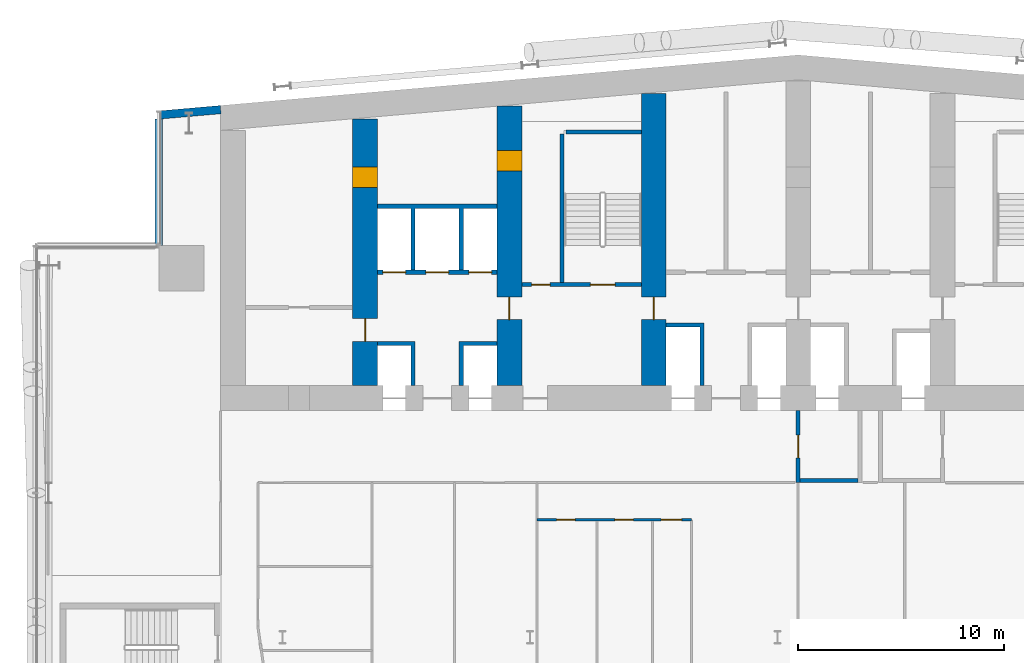
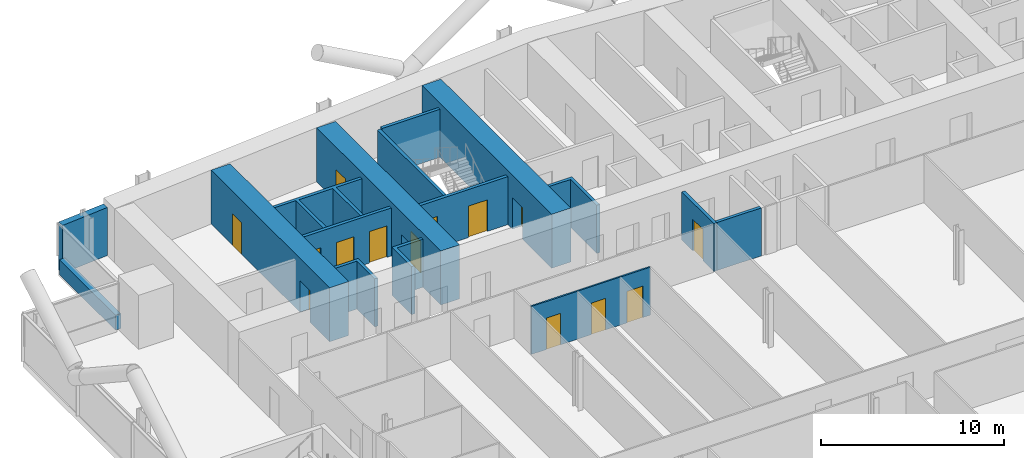
# One storey, part 16 of 27: 16 walls, 14 doors, 14 openings.
"""IFC4 building model written with IfcOpenShell, lengths in metres."""

from ifc_helpers import new_model, si_unit, direction, frame, frame_2d, origin, place, context, subcontext, project, spatial, polyline, rectangle, outline, extrude, material, layer, layer_set, type_object, element, fill, save


model = new_model("IFC4")

# Units and contexts
model_context = context("Model", 3, precision=1e-05, world=origin(), true_north=direction((0.0, 1.0)))
body_context = subcontext(model_context, "Body", "Model", "MODEL_VIEW")
ifc_project = project(units=[si_unit("LENGTHUNIT", "METRE"), si_unit("AREAUNIT", "SQUARE_METRE"), si_unit("VOLUMEUNIT", "CUBIC_METRE"), si_unit("PLANEANGLEUNIT", "RADIAN"), si_unit("MASSUNIT", "GRAM", prefix="KILO")], contexts=[model_context])

# Site, building, storey
site_placement = place(None, origin())
site = spatial("IfcSite", under=ifc_project, at=site_placement, CompositionType="ELEMENT")
building_placement = place(site_placement, origin())
building = spatial("IfcBuilding", under=site, at=building_placement, Name="Wharfspan Tower", CompositionType="ELEMENT")
storey_placement = place(building_placement, frame((0.0, 0.0, 48.699951)))
storey = spatial("IfcBuildingStorey", under=building, at=storey_placement, Name="L08", CompositionType="ELEMENT", Elevation=48.699951)

# Wall, openings, doors
ifc_material_1 = material(Name="Concrete C70/85", Category="concrete")
ifc_layer_1 = layer(ifc_material_1, 1.199951)
ifc_layer_set_1 = layer_set([ifc_layer_1], Name="Concrete C70/85")
wall_type_1 = type_object("IfcWallType", Name="Core wall 1200 C70/85", PredefinedType="SHEAR", material=ifc_layer_set_1)
wall_1_placement = place(storey_placement, frame((16.0, 35.199951, 0.0), z_axis=(0.0, 0.0, 1.0), x_axis=(0.0, 1.0, 0.0)))
wall_1 = element("IfcWall", 1, at=wall_1_placement, inside=storey, type_object=wall_type_1, Name="Core cross wall X1 L08", PredefinedType="SHEAR", context=body_context, shape_type="SweptSolid", body=[
    extrude(rectangle(XDim=12.942871, YDim=1.199951, at=frame_2d((6.471436, 0.0))), origin(), (0.0, 0.0, 1.0), 3.600098),
])
opening_1_placement = place(wall_1_placement, frame((2.149902, 0.0, 0.0)))
opening_1 = element("IfcOpeningElement", 2, at=opening_1_placement, cuts=wall_1, Name="Opening CC08.1", PredefinedType="OPENING", context=body_context, shape_type="SweptSolid", body=[
    extrude(rectangle(XDim=1.100098, YDim=2.100098, at=frame_2d((0.550049, 1.050049))), frame((0.0, 0.609863, 0.0), z_axis=(0.0, -1.0, 0.0), x_axis=(1.0, 0.0, 0.0)), (0.0, 0.0, 1.0), 1.219971),
])
opening_2_placement = place(wall_1_placement, frame((9.600098, 0.0, 0.0)))
opening_2 = element("IfcOpeningElement", 3, at=opening_2_placement, cuts=wall_1, Name="Opening CR08.1", PredefinedType="OPENING", context=body_context, shape_type="SweptSolid", body=[
    extrude(rectangle(XDim=1.0, YDim=2.100098, at=frame_2d((0.5, 1.050049))), frame((0.0, 0.609863, 0.0), z_axis=(0.0, -1.0, 0.0), x_axis=(1.0, 0.0, 0.0)), (0.0, 0.0, 1.0), 1.219971),
])
ifc_material_2 = material(Name="Steel door leaf", Category="steel")
door_type_1 = type_object("IfcDoorType", Name="Core corridor door 1100x2100", OperationType="SINGLE_SWING_LEFT", PredefinedType="DOOR", material=ifc_material_2)
door_1_placement = place(opening_1_placement, origin())
door_1 = element("IfcDoor", 4, at=door_1_placement, inside=storey, type_object=door_type_1, Name="xd:L08:1", OperationType="SINGLE_SWING_LEFT", OverallHeight=2.100098, OverallWidth=1.100098, PredefinedType="DOOR", context=body_context, shape_type="SweptSolid", body=[
    extrude(rectangle(XDim=1.100098, YDim=2.100098, at=frame_2d((0.550049, 1.050049))), frame((0.0, 0.024902, 0.0), z_axis=(0.0, -1.0, 0.0), x_axis=(1.0, 0.0, 0.0)), (0.0, 0.0, 1.0), 0.050049),
])
fill(opening_1, door_1)
door_type_2 = type_object("IfcDoorType", Name="Core room door 1000x2100", OperationType="SINGLE_SWING_LEFT", PredefinedType="DOOR", material=ifc_material_2)
door_2_placement = place(opening_2_placement, origin())
door_2 = element("IfcDoor", 5, at=door_2_placement, inside=storey, type_object=door_type_2, Name="xr:L08:1", OperationType="SINGLE_SWING_RIGHT", OverallHeight=2.100098, OverallWidth=1.0, PredefinedType="DOOR", context=body_context, shape_type="SweptSolid", body=[
    extrude(rectangle(XDim=1.0, YDim=2.100098, at=frame_2d((0.5, 1.050049))), frame((0.0, 0.599609, 0.0), z_axis=(0.0, -1.0, 0.0), x_axis=(1.0, 0.0, 0.0)), (0.0, 0.0, 1.0), 1.199463),
])
fill(opening_2, door_2)

wall_2_placement = place(storey_placement, frame((23.0, 35.199951, 0.0), z_axis=(0.0, 0.0, 1.0), x_axis=(0.0, 1.0, 0.0)))
wall_2 = element("IfcWall", 6, at=wall_2_placement, inside=storey, type_object=wall_type_1, Name="Core cross wall X2 L08", PredefinedType="SHEAR", context=body_context, shape_type="SweptSolid", body=[
    extrude(rectangle(XDim=13.555176, YDim=1.199951, at=frame_2d((6.777588, 0.0))), origin(), (0.0, 0.0, 1.0), 3.600098),
])
opening_3_placement = place(wall_2_placement, frame((10.413818, 0.0, 0.0)))
opening_3 = element("IfcOpeningElement", 7, at=opening_3_placement, cuts=wall_2, Name="Opening CD08.1X", PredefinedType="OPENING", context=body_context, shape_type="SweptSolid", body=[
    extrude(rectangle(XDim=1.0, YDim=2.100098, at=frame_2d((0.5, 1.050049))), frame((0.0, 0.609863, 0.0), z_axis=(0.0, -1.0, 0.0), x_axis=(1.0, 0.0, 0.0)), (0.0, 0.0, 1.0), 1.219971),
])
opening_4_placement = place(wall_2_placement, frame((3.199951, 0.0, 0.0)))
opening_4 = element("IfcOpeningElement", 8, at=opening_4_placement, cuts=wall_2, Name="Opening CC08.2", PredefinedType="OPENING", context=body_context, shape_type="SweptSolid", body=[
    extrude(rectangle(XDim=1.100098, YDim=2.100098, at=frame_2d((0.550049, 1.050049))), frame((0.0, 0.609863, 0.0), z_axis=(0.0, -1.0, 0.0), x_axis=(1.0, 0.0, 0.0)), (0.0, 0.0, 1.0), 1.219971),
])
door_3_placement = place(opening_4_placement, origin())
door_3 = element("IfcDoor", 9, at=door_3_placement, inside=storey, type_object=door_type_1, Name="xd:L08:2", OperationType="SINGLE_SWING_RIGHT", OverallHeight=2.100098, OverallWidth=1.100098, PredefinedType="DOOR", context=body_context, shape_type="SweptSolid", body=[
    extrude(rectangle(XDim=1.100098, YDim=2.100098, at=frame_2d((0.550049, 1.050049))), frame((0.0, 0.024902, 0.0), z_axis=(0.0, -1.0, 0.0), x_axis=(1.0, 0.0, 0.0)), (0.0, 0.0, 1.0), 0.050049),
])
fill(opening_4, door_3)
door_4_placement = place(opening_3_placement, origin())
door_4 = element("IfcDoor", 10, at=door_4_placement, inside=storey, type_object=door_type_2, Name="d:L08:1:sx", OperationType="SINGLE_SWING_LEFT", OverallHeight=2.100098, OverallWidth=1.0, PredefinedType="DOOR", context=body_context, shape_type="SweptSolid", body=[
    extrude(rectangle(XDim=1.0, YDim=2.100098, at=frame_2d((0.5, 1.050049))), frame((0.0, 0.599609, 0.0), z_axis=(0.0, -1.0, 0.0), x_axis=(1.0, 0.0, 0.0)), (0.0, 0.0, 1.0), 1.199463),
])
fill(opening_3, door_4)

# Wall, opening, door
wall_3_placement = place(storey_placement, frame((30.0, 35.199951, 0.0), z_axis=(0.0, 0.0, 1.0), x_axis=(0.0, 1.0, 0.0)))
wall_3 = element("IfcWall", 11, at=wall_3_placement, inside=storey, type_object=wall_type_1, Name="Core cross wall X3 L08", PredefinedType="SHEAR", context=body_context, shape_type="SweptSolid", body=[
    extrude(rectangle(XDim=14.167725, YDim=1.199951, at=frame_2d((7.083984, 0.0))), origin(), (0.0, 0.0, 1.0), 3.600098),
])
opening_5_placement = place(wall_3_placement, frame((3.199951, 0.0, 0.0)))
opening_5 = element("IfcOpeningElement", 12, at=opening_5_placement, cuts=wall_3, Name="Opening CC08.3", PredefinedType="OPENING", context=body_context, shape_type="SweptSolid", body=[
    extrude(rectangle(XDim=1.100098, YDim=2.100098, at=frame_2d((0.550049, 1.050049))), frame((0.0, 0.609863, 0.0), z_axis=(0.0, -1.0, 0.0), x_axis=(1.0, 0.0, 0.0)), (0.0, 0.0, 1.0), 1.219971),
])
door_5_placement = place(opening_5_placement, origin())
door_5 = element("IfcDoor", 13, at=door_5_placement, inside=storey, type_object=door_type_1, Name="xd:L08:3", OperationType="SINGLE_SWING_LEFT", OverallHeight=2.100098, OverallWidth=1.100098, PredefinedType="DOOR", context=body_context, shape_type="SweptSolid", body=[
    extrude(rectangle(XDim=1.100098, YDim=2.100098, at=frame_2d((0.550049, 1.050049))), frame((0.0, 0.024902, 0.0), z_axis=(0.0, -1.0, 0.0), x_axis=(1.0, 0.0, 0.0)), (0.0, 0.0, 1.0), 0.050049),
])
fill(opening_5, door_5)

# Wall, openings, doors
ifc_material_3 = material(Name="Concrete C30/37", Category="concrete")
ifc_layer_2 = layer(ifc_material_3, 0.199951)
ifc_layer_set_2 = layer_set([ifc_layer_2], Name="Concrete C30/37")
wall_type_2 = type_object("IfcWallType", Name="Lift shaft wall 200", PredefinedType="PARTITIONING", material=ifc_layer_set_2)
wall_4_placement = place(storey_placement, frame((16.600098, 40.699951, 0.0), z_axis=(0.0, 0.0, 1.0), x_axis=(1.0, 0.0, 0.0)))
wall_4 = element("IfcWall", 14, at=wall_4_placement, inside=storey, type_object=wall_type_2, Name="sw:L08:RF1", PredefinedType="PARTITIONING", context=body_context, shape_type="SweptSolid", body=[
    extrude(rectangle(XDim=5.799805, YDim=0.199951, at=frame_2d((2.899902, 0.0))), origin(), (0.0, 0.0, 1.0), 3.199951),
])
opening_6_placement = place(wall_4_placement, frame((0.266602, 0.0, 0.0)))
opening_6 = element("IfcOpeningElement", 15, at=opening_6_placement, cuts=wall_4, Name="Opening LD.LA3.L08", PredefinedType="OPENING", context=body_context, shape_type="SweptSolid", body=[
    extrude(rectangle(XDim=1.100098, YDim=2.100098, at=frame_2d((0.550049, 1.050049))), frame((0.0, 0.109863, 0.0), z_axis=(0.0, -1.0, 0.0), x_axis=(1.0, 0.0, 0.0)), (0.0, 0.0, 1.0), 0.219971),
])
opening_7_placement = place(wall_4_placement, frame((2.350098, 0.0, 0.0)))
opening_7 = element("IfcOpeningElement", 16, at=opening_7_placement, cuts=wall_4, Name="Opening LD.LA4.L08", PredefinedType="OPENING", context=body_context, shape_type="SweptSolid", body=[
    extrude(rectangle(XDim=1.100098, YDim=2.100098, at=frame_2d((0.550049, 1.050049))), frame((0.0, 0.109863, 0.0), z_axis=(0.0, -1.0, 0.0), x_axis=(1.0, 0.0, 0.0)), (0.0, 0.0, 1.0), 0.219971),
])
opening_8_placement = place(wall_4_placement, frame((4.43335, 0.0, 0.0)))
opening_8 = element("IfcOpeningElement", 17, at=opening_8_placement, cuts=wall_4, Name="Opening LD.LA5.L08", PredefinedType="OPENING", context=body_context, shape_type="SweptSolid", body=[
    extrude(rectangle(XDim=1.100098, YDim=2.100098, at=frame_2d((0.550049, 1.050049))), frame((0.0, 0.109863, 0.0), z_axis=(0.0, -1.0, 0.0), x_axis=(1.0, 0.0, 0.0)), (0.0, 0.0, 1.0), 0.219971),
])
ifc_material_4 = material(Name="Stainless steel", Category="steel")
door_type_3 = type_object("IfcDoorType", Name="Lift landing door 1100x2100", OperationType="DOUBLE_DOOR_SLIDING", PredefinedType="DOOR", material=ifc_material_4)
door_6_placement = place(opening_6_placement, origin())
door_6 = element("IfcDoor", 18, at=door_6_placement, inside=storey, type_object=door_type_3, Name="Landing door LA3 L08", OperationType="DOUBLE_DOOR_SLIDING", OverallHeight=2.100098, OverallWidth=1.100098, PredefinedType="DOOR", context=body_context, shape_type="SweptSolid", body=[
    extrude(rectangle(XDim=1.100098, YDim=2.100098, at=frame_2d((0.550049, 1.050049))), frame((0.0, 0.024902, 0.0), z_axis=(0.0, -1.0, 0.0), x_axis=(1.0, 0.0, 0.0)), (0.0, 0.0, 1.0), 0.050049),
])
fill(opening_6, door_6)
door_7_placement = place(opening_7_placement, origin())
door_7 = element("IfcDoor", 19, at=door_7_placement, inside=storey, type_object=door_type_3, Name="Landing door LA4 L08", OperationType="DOUBLE_DOOR_SLIDING", OverallHeight=2.100098, OverallWidth=1.100098, PredefinedType="DOOR", context=body_context, shape_type="SweptSolid", body=[
    extrude(rectangle(XDim=1.100098, YDim=2.100098, at=frame_2d((0.550049, 1.050049))), frame((0.0, 0.024902, 0.0), z_axis=(0.0, -1.0, 0.0), x_axis=(1.0, 0.0, 0.0)), (0.0, 0.0, 1.0), 0.050049),
])
fill(opening_7, door_7)
door_8_placement = place(opening_8_placement, origin())
door_8 = element("IfcDoor", 20, at=door_8_placement, inside=storey, type_object=door_type_3, Name="Landing door LA5 L08", OperationType="DOUBLE_DOOR_SLIDING", OverallHeight=2.100098, OverallWidth=1.100098, PredefinedType="DOOR", context=body_context, shape_type="SweptSolid", body=[
    extrude(rectangle(XDim=1.100098, YDim=2.100098, at=frame_2d((0.550049, 1.050049))), frame((0.0, 0.024902, 0.0), z_axis=(0.0, -1.0, 0.0), x_axis=(1.0, 0.0, 0.0)), (0.0, 0.0, 1.0), 0.050049),
])
fill(opening_8, door_8)

# Walls
wall_5_placement = place(storey_placement, frame((0.0, 0.0, -0.000244)))
element("IfcWall", 21, at=wall_5_placement, inside=storey, type_object=wall_type_2, Name="sw:L08:FM1.0", PredefinedType="PARTITIONING", context=body_context, shape_type="SweptSolid", body=[
    extrude(outline(polyline([(18.233398, 37.149902), (16.600098, 37.149902), (16.600098, 37.350098), (18.233398, 37.350098), (18.43335, 37.350098), (18.43335, 35.199951), (18.233398, 35.199951), (18.233398, 37.149902)])), origin(), (0.0, 0.0, 1.0), 3.200195),
])
wall_6_placement = place(storey_placement, frame((0.0, 0.0, -0.000244)))
element("IfcWall", 22, at=wall_6_placement, inside=storey, type_object=wall_type_2, Name="sw:L08:FM1.1", PredefinedType="PARTITIONING", context=body_context, shape_type="SweptSolid", body=[
    extrude(outline(polyline([(20.56665, 37.350098), (20.766602, 37.350098), (22.399902, 37.350098), (22.399902, 37.149902), (20.766602, 37.149902), (20.766602, 35.199951), (20.56665, 35.199951), (20.56665, 37.350098)])), origin(), (0.0, 0.0, 1.0), 3.200195),
])
wall_7_placement = place(storey_placement, frame((0.0, 0.0, -0.000244)))
element("IfcWall", 23, at=wall_7_placement, inside=storey, type_object=wall_type_2, Name="sw:L08:RM1.0", PredefinedType="PARTITIONING", context=body_context, shape_type="SweptSolid", body=[
    extrude(outline(polyline([(18.43335, 40.800049), (18.233398, 40.800049), (18.233398, 43.800049), (16.600098, 43.800049), (16.600098, 44.0), (22.399902, 44.0), (22.399902, 43.800049), (20.766602, 43.800049), (20.766602, 40.800049), (20.56665, 40.800049), (20.56665, 43.800049), (18.43335, 43.800049), (18.43335, 40.800049)])), origin(), (0.0, 0.0, 1.0), 3.200195),
])
wall_8_placement = place(storey_placement, frame((0.0, 0.0, -0.000244)))
element("IfcWall", 24, at=wall_8_placement, inside=storey, type_object=wall_type_2, Name="sw:L08:FM3.0", PredefinedType="PARTITIONING", context=body_context, shape_type="SweptSolid", body=[
    extrude(outline(polyline([(32.233398, 38.050049), (30.600098, 38.050049), (30.600098, 38.25), (32.233398, 38.25), (32.43335, 38.25), (32.43335, 35.199951), (32.233398, 35.199951), (32.233398, 38.050049)])), origin(), (0.0, 0.0, 1.0), 3.200195),
])

# Wall, opening, door
ifc_layer_3 = layer(ifc_material_3, 0.199951)
ifc_layer_set_3 = layer_set([ifc_layer_3], Name="Concrete C30/37")
wall_type_3 = type_object("IfcWallType", Name="Lobby wall 200", PredefinedType="PARTITIONING", material=ifc_layer_set_3)
wall_9_placement = place(storey_placement, frame((37.0, 30.5, 0.0), z_axis=(0.0, 0.0, 1.0), x_axis=(0.0, 1.0, 0.0)))
wall_9 = element("IfcWall", 25, at=wall_9_placement, inside=storey, type_object=wall_type_3, Name="sw:L08:FLFF1W", PredefinedType="PARTITIONING", context=body_context, shape_type="SweptSolid", body=[
    extrude(rectangle(XDim=3.5, YDim=0.199951, at=frame_2d((1.75, 0.0))), origin(), (0.0, 0.0, 1.0), 3.199951),
])
opening_9_placement = place(wall_9_placement, frame((1.199951, 0.0, 0.0)))
opening_9 = element("IfcOpeningElement", 26, at=opening_9_placement, cuts=wall_9, Name="Opening FL.FF1.L08", PredefinedType="OPENING", context=body_context, shape_type="SweptSolid", body=[
    extrude(rectangle(XDim=1.100098, YDim=2.100098, at=frame_2d((0.550049, 1.050049))), frame((0.0, 0.109863, 0.0), z_axis=(0.0, -1.0, 0.0), x_axis=(1.0, 0.0, 0.0)), (0.0, 0.0, 1.0), 0.219971),
])
door_type_4 = type_object("IfcDoorType", Name="Firefighting lobby door 1100x2100", OperationType="SINGLE_SWING_LEFT", PredefinedType="DOOR", material=ifc_material_2)
door_9_placement = place(opening_9_placement, origin())
door_9 = element("IfcDoor", 27, at=door_9_placement, inside=storey, type_object=door_type_4, Name="fd:L08:FF1", OperationType="SINGLE_SWING_LEFT", OverallHeight=2.100098, OverallWidth=1.100098, PredefinedType="DOOR", context=body_context, shape_type="SweptSolid", body=[
    extrude(rectangle(XDim=1.100098, YDim=2.100098, at=frame_2d((0.550049, 1.050049))), frame((0.0, 0.024902, 0.0), z_axis=(0.0, -1.0, 0.0), x_axis=(1.0, 0.0, 0.0)), (0.0, 0.0, 1.0), 0.050049),
])
fill(opening_9, door_9)

# Wall
wall_10_placement = place(storey_placement, frame((37.100098, 30.600098, 0.0), z_axis=(0.0, 0.0, 1.0), x_axis=(1.0, 0.0, 0.0)))
element("IfcWall", 28, at=wall_10_placement, inside=storey, type_object=wall_type_3, Name="sw:L08:FLFF1F", PredefinedType="PARTITIONING", context=body_context, shape_type="SweptSolid", body=[
    extrude(rectangle(XDim=2.799805, YDim=0.199951, at=frame_2d((1.399902, 0.0))), origin(), (0.0, 0.0, 1.0), 3.199951),
])

# Wall, openings, doors
ifc_material_5 = material(Name="Gypsum board on steel studs", Category="steel")
ifc_layer_4 = layer(ifc_material_5, 0.100098)
ifc_layer_set_4 = layer_set([ifc_layer_4], Name="Gypsum board on steel studs")
wall_type_4 = type_object("IfcWallType", Name="Partition 100", PredefinedType="PARTITIONING", material=ifc_layer_set_4)
wall_11_placement = place(storey_placement, frame((24.334961, 28.699951, 0.0), z_axis=(0.0, 0.0, 1.0), x_axis=(1.0, 0.0, 0.0)))
wall_11 = element("IfcWall", 29, at=wall_11_placement, inside=storey, type_object=wall_type_4, Name="Partition L08.w029", PredefinedType="PARTITIONING", context=body_context, shape_type="SweptSolid", body=[
    extrude(rectangle(XDim=7.5, YDim=0.100098, at=frame_2d((3.75, 0.0))), origin(), (0.0, 0.0, 1.0), 3.199951),
])
opening_10_placement = place(wall_11_placement, frame((0.949951, 0.0, 0.0)))
opening_10 = element("IfcOpeningElement", 30, at=opening_10_placement, cuts=wall_11, Name="Opening A1-22", PredefinedType="OPENING", context=body_context, shape_type="SweptSolid", body=[
    extrude(rectangle(XDim=0.899902, YDim=2.100098, at=frame_2d((0.449951, 1.050049))), frame((0.0, 0.060059, 0.0), z_axis=(0.0, -1.0, 0.0), x_axis=(1.0, 0.0, 0.0)), (0.0, 0.0, 1.0), 0.120117),
])
opening_11_placement = place(wall_11_placement, frame((3.780029, 0.0, 0.0)))
opening_11 = element("IfcOpeningElement", 31, at=opening_11_placement, cuts=wall_11, Name="Opening A1-23", PredefinedType="OPENING", context=body_context, shape_type="SweptSolid", body=[
    extrude(rectangle(XDim=0.899902, YDim=2.100098, at=frame_2d((0.449951, 1.050049))), frame((0.0, 0.060059, 0.0), z_axis=(0.0, -1.0, 0.0), x_axis=(1.0, 0.0, 0.0)), (0.0, 0.0, 1.0), 0.120117),
])
opening_12_placement = place(wall_11_placement, frame((6.02002, 0.0, 0.0)))
opening_12 = element("IfcOpeningElement", 32, at=opening_12_placement, cuts=wall_11, Name="Opening A1-24", PredefinedType="OPENING", context=body_context, shape_type="SweptSolid", body=[
    extrude(rectangle(XDim=1.0, YDim=2.100098, at=frame_2d((0.5, 1.050049))), frame((0.0, 0.060059, 0.0), z_axis=(0.0, -1.0, 0.0), x_axis=(1.0, 0.0, 0.0)), (0.0, 0.0, 1.0), 0.120117),
])
ifc_material_6 = material(Name="Timber door leaf in steel frame", Category="steel")
door_type_5 = type_object("IfcDoorType", Name="Door 1000 NOT RATED Right", OperationType="SINGLE_SWING_RIGHT", PredefinedType="DOOR", material=ifc_material_6)
door_10_placement = place(opening_12_placement, origin())
door_10 = element("IfcDoor", 33, at=door_10_placement, inside=storey, type_object=door_type_5, Name="Door A1-24", OperationType="SINGLE_SWING_RIGHT", OverallHeight=2.100098, OverallWidth=1.0, PredefinedType="DOOR", context=body_context, shape_type="SweptSolid", body=[
    extrude(rectangle(XDim=1.0, YDim=2.100098, at=frame_2d((0.5, 1.050049))), frame((0.0, 0.024902, 0.0), z_axis=(0.0, -1.0, 0.0), x_axis=(1.0, 0.0, 0.0)), (0.0, 0.0, 1.0), 0.050049),
])
fill(opening_12, door_10)
door_type_6 = type_object("IfcDoorType", Name="Door 900 NOT RATED Left", OperationType="SINGLE_SWING_LEFT", PredefinedType="DOOR", material=ifc_material_6)
door_11_placement = place(opening_10_placement, origin())
door_11 = element("IfcDoor", 34, at=door_11_placement, inside=storey, type_object=door_type_6, Name="Door A1-22", OperationType="SINGLE_SWING_LEFT", OverallHeight=2.100098, OverallWidth=0.899902, PredefinedType="DOOR", context=body_context, shape_type="SweptSolid", body=[
    extrude(rectangle(XDim=0.899902, YDim=2.100098, at=frame_2d((0.449951, 1.050049))), frame((0.0, 0.024902, 0.0), z_axis=(0.0, -1.0, 0.0), x_axis=(1.0, 0.0, 0.0)), (0.0, 0.0, 1.0), 0.050049),
])
fill(opening_10, door_11)
door_type_7 = type_object("IfcDoorType", Name="Door 900 NOT RATED Right", OperationType="SINGLE_SWING_RIGHT", PredefinedType="DOOR", material=ifc_material_6)
door_12_placement = place(opening_11_placement, origin())
door_12 = element("IfcDoor", 35, at=door_12_placement, inside=storey, type_object=door_type_7, Name="Door A1-23", OperationType="SINGLE_SWING_RIGHT", OverallHeight=2.100098, OverallWidth=0.899902, PredefinedType="DOOR", context=body_context, shape_type="SweptSolid", body=[
    extrude(rectangle(XDim=0.899902, YDim=2.100098, at=frame_2d((0.449951, 1.050049))), frame((0.0, 0.024902, 0.0), z_axis=(0.0, -1.0, 0.0), x_axis=(1.0, 0.0, 0.0)), (0.0, 0.0, 1.0), 0.050049),
])
fill(opening_11, door_12)

# Wall
ifc_material_7 = material(Name="Concrete C40/50", Category="concrete")
ifc_layer_5 = layer(ifc_material_7, 0.350098)
ifc_layer_set_5 = layer_set([ifc_layer_5], Name="Concrete C40/50")
wall_type_5 = type_object("IfcWallType", Name="SPANDREL EXPOSED CONCRETE 350", PredefinedType="SOLIDWALL", material=ifc_layer_set_5)
wall_12_placement = place(storey_placement, frame((5.995117, 48.126465, 0.0), z_axis=(0.0, 0.0, 1.0), x_axis=(0.0, -1.0, 0.0)))
element("IfcWall", 36, at=wall_12_placement, inside=storey, type_object=wall_type_5, Name="Spandrel upstand L08 NRW-V", PredefinedType="SOLIDWALL", context=body_context, shape_type="SweptSolid", body=[
    extrude(rectangle(XDim=6.126465, YDim=0.350098, at=frame_2d((3.063232, 0.0))), origin(), (0.0, 0.0, 1.0), 1.0),
])

# Wall, openings, doors
ifc_layer_6 = layer(ifc_material_7, 0.199951)
ifc_layer_set_6 = layer_set([ifc_layer_6], Name="Concrete C40/50")
wall_type_6 = type_object("IfcWallType", Name="Stair shaft wall 200", PredefinedType="SHEAR", material=ifc_layer_set_6)
wall_13_placement = place(storey_placement, frame((23.600098, 40.100098, 0.0), z_axis=(0.0, 0.0, 1.0), x_axis=(1.0, 0.0, 0.0)))
wall_13 = element("IfcWall", 37, at=wall_13_placement, inside=storey, type_object=wall_type_6, Name="ST1 stair enclosure wall L08", PredefinedType="SHEAR", context=body_context, shape_type="SweptSolid", body=[
    extrude(rectangle(XDim=5.799805, YDim=0.199951, at=frame_2d((2.899902, 0.0))), origin(), (0.0, 0.0, 1.0), 3.199951),
])
opening_13_placement = place(wall_13_placement, frame((3.324951, 0.0, 0.0)))
opening_13 = element("IfcOpeningElement", 38, at=opening_13_placement, cuts=wall_13, Name="Opening SD2.L08", PredefinedType="OPENING", context=body_context, shape_type="SweptSolid", body=[
    extrude(rectangle(XDim=1.199951, YDim=2.100098, at=frame_2d((0.600098, 1.050049))), frame((0.0, 0.109863, 0.0), z_axis=(0.0, -1.0, 0.0), x_axis=(1.0, 0.0, 0.0)), (0.0, 0.0, 1.0), 0.219971),
])
opening_14_placement = place(wall_13_placement, frame((0.475098, 0.0, 0.0)))
opening_14 = element("IfcOpeningElement", 39, at=opening_14_placement, cuts=wall_13, Name="Opening CD08.2R", PredefinedType="OPENING", context=body_context, shape_type="SweptSolid", body=[
    extrude(rectangle(XDim=0.899902, YDim=2.100098, at=frame_2d((0.449951, 1.050049))), frame((0.0, 0.109863, 0.0), z_axis=(0.0, -1.0, 0.0), x_axis=(1.0, 0.0, 0.0)), (0.0, 0.0, 1.0), 0.219971),
])
door_13_placement = place(opening_14_placement, origin())
door_13 = element("IfcDoor", 40, at=door_13_placement, inside=storey, type_object=door_type_2, Name="rk:L08:2", OperationType="SINGLE_SWING_LEFT", OverallHeight=2.100098, OverallWidth=0.899902, PredefinedType="DOOR", context=body_context, shape_type="SweptSolid", body=[
    extrude(rectangle(XDim=0.899902, YDim=2.100098, at=frame_2d((0.449951, 1.050049))), frame((0.0, 0.024902, 0.0), z_axis=(0.0, -1.0, 0.0), x_axis=(1.0, 0.0, 0.0)), (0.0, 0.0, 1.0), 0.050049),
])
fill(opening_14, door_13)
door_type_8 = type_object("IfcDoorType", Name="Stair door 1200x2100", OperationType="SINGLE_SWING_LEFT", PredefinedType="DOOR", material=ifc_material_2)
door_14_placement = place(opening_13_placement, origin())
door_14 = element("IfcDoor", 41, at=door_14_placement, inside=storey, type_object=door_type_8, Name="sd:L08:2", OperationType="SINGLE_SWING_RIGHT", OverallHeight=2.100098, OverallWidth=1.199951, PredefinedType="DOOR", context=body_context, shape_type="SweptSolid", body=[
    extrude(rectangle(XDim=1.199951, YDim=2.100098, at=frame_2d((0.600098, 1.050049))), frame((0.0, 0.024902, 0.0), z_axis=(0.0, -1.0, 0.0), x_axis=(1.0, 0.0, 0.0)), (0.0, 0.0, 1.0), 0.050049),
])
fill(opening_13, door_14)

# Walls
wall_14_placement = place(storey_placement, frame((25.550049, 40.199951, 0.0), z_axis=(0.0, 0.0, 1.0), x_axis=(0.0, 1.0, 0.0)))
element("IfcWall", 42, at=wall_14_placement, inside=storey, type_object=wall_type_6, Name="ST1 stair enclosure wall L08", PredefinedType="SHEAR", context=body_context, shape_type="SweptSolid", body=[
    extrude(rectangle(XDim=7.199951, YDim=0.199951, at=frame_2d((3.600098, 0.0))), origin(), (0.0, 0.0, 1.0), 3.199951),
])
wall_15_placement = place(storey_placement, frame((25.75, 47.5, 0.0), z_axis=(0.0, 0.0, 1.0), x_axis=(1.0, 0.0, 0.0)))
element("IfcWall", 43, at=wall_15_placement, inside=storey, type_object=wall_type_6, Name="ST1 stair enclosure wall L08", PredefinedType="SHEAR", context=body_context, shape_type="SweptSolid", body=[
    extrude(rectangle(XDim=3.649902, YDim=0.199951, at=frame_2d((1.824951, 0.0))), origin(), (0.0, 0.0, 1.0), 3.199951),
])
ifc_layer_7 = layer(ifc_material_7, 0.399902)
ifc_layer_set_7 = layer_set([ifc_layer_7], Name="Concrete C40/50")
wall_type_7 = type_object("IfcWallType", Name="WALL EXPOSED CONCRETE 400", PredefinedType="SOLIDWALL", material=ifc_layer_set_7)
wall_16_placement = place(storey_placement, frame((9.0, 48.58667, 0.0), z_axis=(0.0, 0.0, 1.0), x_axis=(-0.996194, -0.087168, 0.0)))
element("IfcWall", 44, at=wall_16_placement, inside=storey, type_object=wall_type_7, Name="Rear wall N1", PredefinedType="SOLIDWALL", context=body_context, shape_type="SweptSolid", body=[
    extrude(rectangle(XDim=2.994141, YDim=0.399902, at=frame_2d((1.49707, 0.0))), origin(), (0.0, 0.0, 1.0), 3.199951),
])

save(model, "model.ifc")
